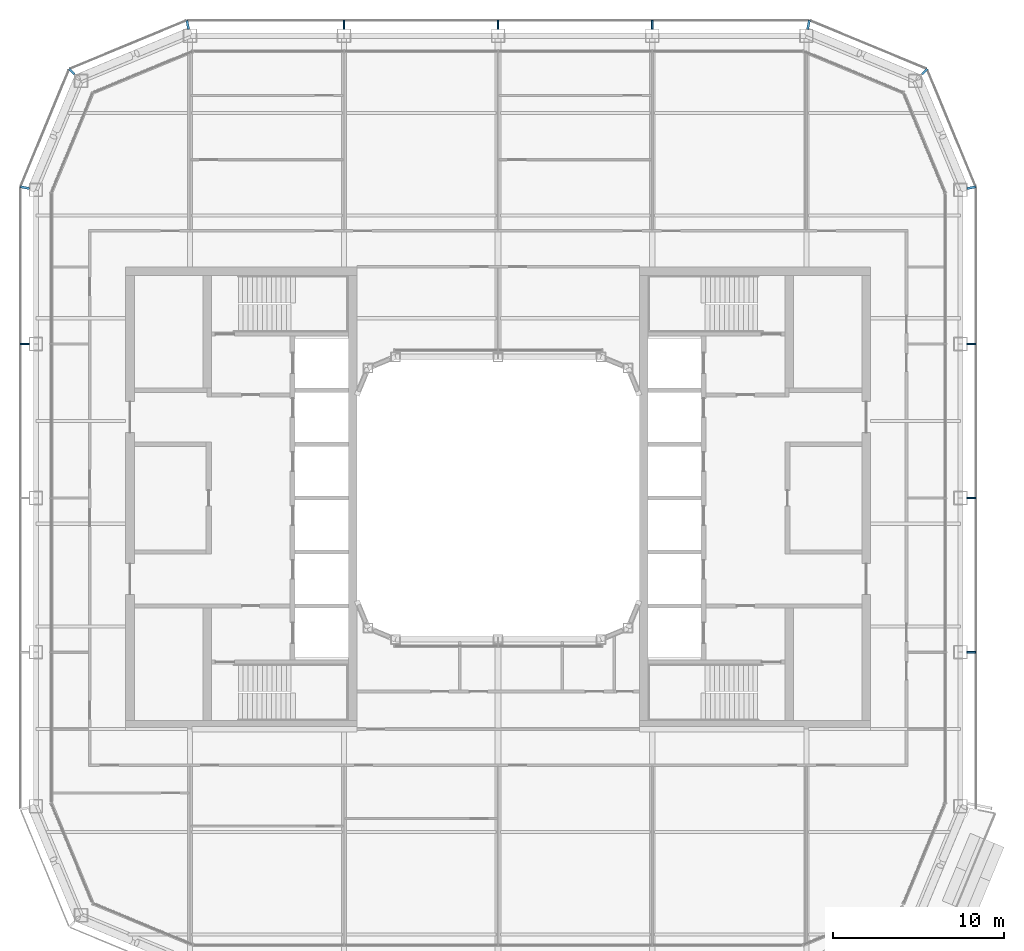
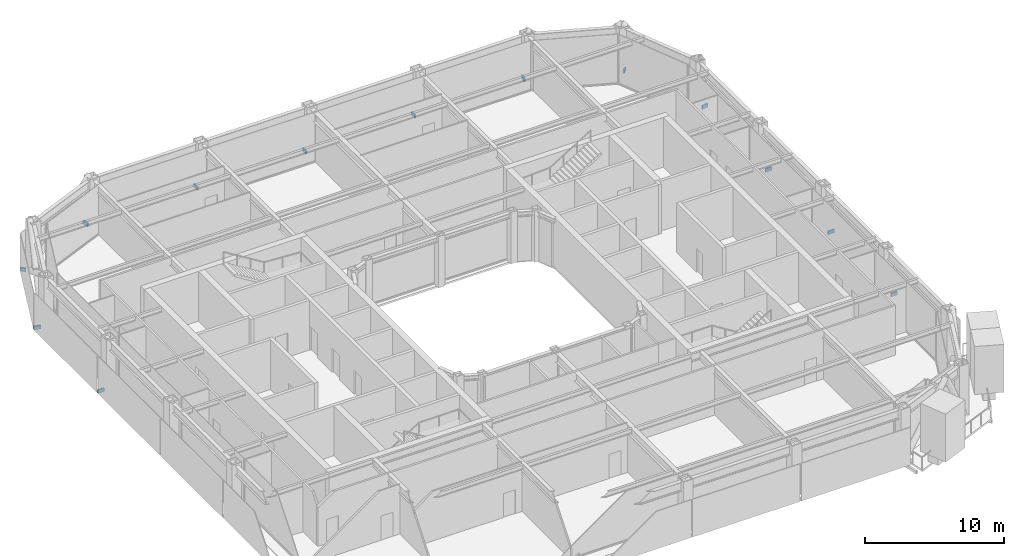
# One storey, part 18 of 23: 13 discrete accessories.
"""IFC4 building model written with IfcOpenShell, lengths in metres."""

import ifcopenshell
import ifcopenshell.guid

model = None  # the IFC model being written
_history = None  # IfcOwnerHistory: only IFC2X3 demands one
_inside = {}  # id of a spatial element -> (the spatial element, [elements in it])
_under = {}  # id of a project, library or spatial element -> (it, [spatial elements below it])
_declared = {}  # id of a project -> (the project, [libraries it declares])
_typed = {}  # id of a type object -> (the type object, [elements of that type])
_made_of = {}  # id of a material, layer set ... -> (it, [elements and type objects made of it])


def new_model(schema):
    """Start an empty IFC model of exactly this schema.

    Asked for "IFC4X3", IfcOpenShell would pick the latest addendum, in which some entities
    have other attributes; the version numbers below select the first issue.
    IFC2X3 requires an IfcOwnerHistory on every rooted entity: one is made here for all.
    """
    global model, _history
    if schema == "IFC4X3":
        model = ifcopenshell.file(schema_version=(4, 3, 0, 0))
    else:
        model = ifcopenshell.file(schema=schema)
    _inside.clear()
    _under.clear()
    _declared.clear()
    _typed.clear()
    _made_of.clear()
    _history = None
    if model.schema == "IFC2X3":
        org = make("IfcOrganization", Name="unknown")
        user = make(
            "IfcPersonAndOrganization",
            ThePerson=make("IfcPerson", FamilyName="unknown"),
            TheOrganization=org,
        )
        app = make(
            "IfcApplication",
            ApplicationDeveloper=org,
            Version="unknown",
            ApplicationFullName="unknown",
            ApplicationIdentifier="unknown",
        )
        _history = make(
            "IfcOwnerHistory",
            OwningUser=user,
            OwningApplication=app,
            ChangeAction="ADDED",
            CreationDate=0,
        )
    return model


def make(cls, **values):
    """One entity of the class cls with the attributes given. An attribute that is None is left unset."""
    return model.create_entity(
        cls, **{name: value for name, value in values.items() if value is not None}
    )


def rooted(cls, **values):
    """An entity with a GlobalId (a new one), such as an element, a storey or a relation."""
    return make(cls, GlobalId=ifcopenshell.guid.new(), OwnerHistory=_history, **values)


def si_unit(unit_type, name, prefix=None):
    """IfcSIUnit, for example si_unit("LENGTHUNIT", "METRE", prefix="MILLI")."""
    return make("IfcSIUnit", UnitType=unit_type, Prefix=prefix, Name=name)


def assignment(units):
    """IfcUnitAssignment: the units of a project."""
    return None if units is None else make("IfcUnitAssignment", Units=units)


def point(xyz):
    """IfcCartesianPoint."""
    return None if xyz is None else make("IfcCartesianPoint", Coordinates=xyz)


def direction(xyz):
    """IfcDirection."""
    return None if xyz is None else make("IfcDirection", DirectionRatios=xyz)


def frame(location, z_axis=None, x_axis=None):
    """IfcAxis2Placement3D, a coordinate frame: its origin and axes. An axis left out is left unset."""
    return make(
        "IfcAxis2Placement3D",
        Location=point(location),
        Axis=direction(z_axis),
        RefDirection=direction(x_axis),
    )


def frame_2d(location, x_axis=None):
    """IfcAxis2Placement2D, a coordinate frame in the plane: its origin and x axis."""
    return make(
        "IfcAxis2Placement2D", Location=point(location), RefDirection=direction(x_axis)
    )


def origin():
    """The frame at (0, 0, 0) with its axes left unset."""
    return frame((0.0, 0.0, 0.0))


def origin_2d():
    """The frame at (0, 0) in the plane with its x axis left unset."""
    return frame_2d((0.0, 0.0))


def place(relative_to, where):
    """IfcLocalPlacement: puts the frame where relative to a parent placement (None: the world)."""
    return make(
        "IfcLocalPlacement", PlacementRelTo=relative_to, RelativePlacement=where
    )


def context(
    kind, dimensions, precision=None, world=None, true_north=None, identifier=None
):
    """IfcGeometricRepresentationContext, for example the 3D "Model" context."""
    return make(
        "IfcGeometricRepresentationContext",
        ContextIdentifier=identifier,
        ContextType=kind,
        CoordinateSpaceDimension=dimensions,
        Precision=precision,
        WorldCoordinateSystem=world,
        TrueNorth=true_north,
    )


def subcontext(parent, identifier, kind, view, scale=None):
    """IfcGeometricRepresentationSubContext, for example "Body" below "Model"."""
    return make(
        "IfcGeometricRepresentationSubContext",
        ContextIdentifier=identifier,
        ContextType=kind,
        ParentContext=parent,
        TargetScale=scale,
        TargetView=view,
    )


def project(units=None, contexts=None):
    """IfcProject with its units and contexts."""
    return rooted(
        "IfcProject",
        Name="project",
        RepresentationContexts=contexts,
        UnitsInContext=assignment(units),
    )


def spatial(cls, under=None, at=None, **own):
    """A site, building, storey or space (cls), placed at a placement, below another one or the project."""
    s = rooted(cls, ObjectPlacement=at, **own)
    if under is not None:
        _under.setdefault(under.id(), (under, []))[1].append(s)
    return s


def profile(cls, at=None, kind="AREA", **sizes):
    """A parametric profile (cls). Its sizes go by their IFC names, for example OverallWidth=200.0."""
    return make(cls, ProfileType=kind, Position=at, **sizes)


def rectangle(**sizes):
    """IfcRectangleProfileDef."""
    return profile("IfcRectangleProfileDef", **sizes)


def extrude(swept, where, along, depth):
    """IfcExtrudedAreaSolid: the profile swept, set in the frame where, extruded along a direction by depth."""
    return make(
        "IfcExtrudedAreaSolid",
        SweptArea=swept,
        Position=where,
        ExtrudedDirection=direction(along),
        Depth=depth,
    )


def shape(context_of_items, identifier, shape_type, items):
    """IfcShapeRepresentation: the items that make up one representation, for example the "Body"."""
    return make(
        "IfcShapeRepresentation",
        ContextOfItems=context_of_items,
        RepresentationIdentifier=identifier,
        RepresentationType=shape_type,
        Items=items,
    )


def material(Name=None, Category=None):
    """IfcMaterial."""
    return make("IfcMaterial", Name=Name, Category=Category)


def made_of(thing, what):
    """Note that an element or type object is made of a material, layer set ...; save() writes the relation."""
    if what is not None:
        _made_of.setdefault(what.id(), (what, []))[1].append(thing)
    return thing


def type_object(cls, material=None, **own):
    """A type object (cls), such as IfcWallType, which elements share."""
    return made_of(rooted(cls, **own), material)


def element(
    cls,
    number,
    at=None,
    inside=None,
    cuts=None,
    type_object=None,
    material=None,
    context=None,
    identifier="Body",
    shape_type=None,
    held_by="IfcProductDefinitionShape",
    body=None,
    shapes=None,
    **own,
):
    """One element of the class cls, such as IfcWall. Its Tag is "e" and its number.

    at: its placement. inside: the storey or other place that contains it. cuts: it is an
    opening in that element (IfcRelVoidsElement). A single representation is given by context,
    identifier, shape_type and body (its items); several are given by shapes. held_by: the class
    of the entity that holds the representations. save() writes the other relations.
    """
    e = rooted(cls, Tag="e%d" % number, ObjectPlacement=at, **own)
    if body is not None:
        shapes = [shape(context, identifier, shape_type, body)]
    if shapes is not None:
        e.Representation = make(held_by, Representations=shapes)
    if inside is not None:
        _inside.setdefault(inside.id(), (inside, []))[1].append(e)
    if cuts is not None:
        rooted(
            "IfcRelVoidsElement", RelatingBuildingElement=cuts, RelatedOpeningElement=e
        )
    if type_object is not None:
        _typed.setdefault(type_object.id(), (type_object, []))[1].append(e)
    return made_of(e, material)


def aggregate(whole, parts):
    """IfcRelAggregates: a whole, such as a stair, and the parts it consists of."""
    return rooted("IfcRelAggregates", RelatingObject=whole, RelatedObjects=parts)


def save(model, path):
    """Write the relations noted so far, then the file.

    IfcRelAggregates (storeys below a building ...), IfcRelContainedInSpatialStructure (elements
    in a storey), IfcRelDefinesByType, IfcRelAssociatesMaterial and IfcRelDeclares: one each for
    every whole, place, type object, material and project.
    """
    for whole, parts in _under.values():
        aggregate(whole, parts)
    for where, things in _inside.values():
        rooted(
            "IfcRelContainedInSpatialStructure",
            RelatedElements=things,
            RelatingStructure=where,
        )
    for kind, things in _typed.values():
        rooted("IfcRelDefinesByType", RelatedObjects=things, RelatingType=kind)
    for what, things in _made_of.values():
        rooted("IfcRelAssociatesMaterial", RelatedObjects=things, RelatingMaterial=what)
    for by, libraries in _declared.values():
        rooted("IfcRelDeclares", RelatingContext=by, RelatedDefinitions=libraries)
    model.write(path)


model = new_model("IFC4")

# Units and contexts
model_context = context("Model", 3, precision=1e-05, world=origin(), true_north=direction((0.0, 1.0)))
body_context = subcontext(model_context, "Body", "Model", "MODEL_VIEW")
ifc_project = project(units=[si_unit("LENGTHUNIT", "METRE"), si_unit("AREAUNIT", "SQUARE_METRE"), si_unit("VOLUMEUNIT", "CUBIC_METRE"), si_unit("PLANEANGLEUNIT", "RADIAN"), si_unit("MASSUNIT", "GRAM", prefix="KILO")], contexts=[model_context])

# Site, building, storey
site_placement = place(None, origin())
site = spatial("IfcSite", under=ifc_project, at=site_placement, CompositionType="ELEMENT")
building_placement = place(site_placement, origin())
building = spatial("IfcBuilding", under=site, at=building_placement, Name="Siwar Civic Tower", CompositionType="ELEMENT")
storey_placement = place(building_placement, frame((0.0, 0.0, 237.699951171875)))
storey = spatial("IfcBuildingStorey", under=building, at=storey_placement, Name="L51", CompositionType="ELEMENT", Elevation=237.699951171875)

# Discrete accessories
ifc_material = material(Name="Stainless steel 316", Category="steel")
discrete_accessory_type = type_object("IfcDiscreteAccessoryType", Name="ENV-BRACKET", PredefinedType="BRACKET", material=ifc_material)
for number, where, z_axis, x_axis, name in (
    (1, (27.639892578125, -9.0, -0.14990234375), (0.0, 0.0, 1.0), (1.0, 0.0, 0.0), "Bracket outer skin joint E-01"),
    (2, (27.639892578125, 0.0, -0.14990234375), (0.0, 0.0, 1.0), (1.0, 0.0, 0.0), "Bracket outer skin joint E-02"),
    (3, (27.639892578125, 9.0, -0.14990234375), (0.0, 0.0, 1.0), (1.0, 0.0, 0.0), "Bracket outer skin joint E-03"),
    (4, (9.0, 27.639892578125, -0.14990234375), (0.0, 0.0, 1.0), (0.0, 1.0, 0.0), "Bracket outer skin joint N-01"),
    (5, (0.0, 27.639892578125, -0.14990234375), (0.0, 0.0, 1.0), (0.0, 1.0, 0.0), "Bracket outer skin joint N-02"),
    (6, (-9.0, 27.639892578125, -0.14990234375), (0.0, 0.0, 1.0), (0.0, 1.0, 0.0), "Bracket outer skin joint N-03"),
):
    element("IfcDiscreteAccessory", number, at=place(storey_placement, frame(where, z_axis=z_axis, x_axis=x_axis)), inside=storey, type_object=discrete_accessory_type, Name=name, PredefinedType="BRACKET", context=body_context, shape_type="SweptSolid", body=[
        extrude(rectangle(XDim=0.52001953125, YDim=0.10009765625, at=origin_2d()), origin(), (0.0, 0.0, 1.0), 0.300048828125),
    ])
discrete_accessory_1_placement = place(storey_placement, frame((27.64013671875, 18.12744140625, -0.14990234375), z_axis=(0.0, 0.0, 1.0), x_axis=(0.980785280403, 0.195090322016, 0.0)))
element("IfcDiscreteAccessory", 7, at=discrete_accessory_1_placement, inside=storey, type_object=discrete_accessory_type, Name="Bracket outer skin joint V04", PredefinedType="BRACKET", context=body_context, shape_type="SweptSolid", body=[
    extrude(rectangle(XDim=0.52978515625, YDim=0.13720703125, at=origin_2d()), origin(), (0.0, 0.0, 1.0), 0.300048828125),
])
discrete_accessory_2_placement = place(storey_placement, frame((24.9013671875, 24.9013671875, -0.14990234375), z_axis=(0.0, 0.0, 1.0), x_axis=(0.707106781187, 0.707106781187, 0.0)))
element("IfcDiscreteAccessory", 8, at=discrete_accessory_2_placement, inside=storey, type_object=discrete_accessory_type, Name="Bracket outer skin joint V05", PredefinedType="BRACKET", context=body_context, shape_type="SweptSolid", body=[
    extrude(rectangle(XDim=0.428466796875, YDim=0.12939453125, at=origin_2d()), origin(), (0.0, 0.0, 1.0), 0.300048828125),
])
for number, where, z_axis, x_axis, name in (
    (9, (18.12744140625, 27.64013671875, -0.14990234375), (0.0, 0.0, 1.0), (0.195090322016, 0.980785280403, 0.0), "Bracket outer skin joint V06"),
    (10, (-18.12744140625, 27.64013671875, -0.14990234375), (0.0, 0.0, 1.0), (-0.195090322016, 0.980785280403, 0.0), "Bracket outer skin joint V07"),
):
    element("IfcDiscreteAccessory", number, at=place(storey_placement, frame(where, z_axis=z_axis, x_axis=x_axis)), inside=storey, type_object=discrete_accessory_type, Name=name, PredefinedType="BRACKET", context=body_context, shape_type="SweptSolid", body=[
        extrude(rectangle(XDim=0.52978515625, YDim=0.13720703125, at=origin_2d()), origin(), (0.0, 0.0, 1.0), 0.300048828125),
    ])
discrete_accessory_3_placement = place(storey_placement, frame((-24.9013671875, 24.9013671875, -0.14990234375), z_axis=(0.0, 0.0, 1.0), x_axis=(-0.707106781187, 0.707106781187, 0.0)))
element("IfcDiscreteAccessory", 11, at=discrete_accessory_3_placement, inside=storey, type_object=discrete_accessory_type, Name="Bracket outer skin joint V08", PredefinedType="BRACKET", context=body_context, shape_type="SweptSolid", body=[
    extrude(rectangle(XDim=0.428466796875, YDim=0.12939453125, at=origin_2d()), origin(), (0.0, 0.0, 1.0), 0.300048828125),
])
discrete_accessory_4_placement = place(storey_placement, frame((-27.64013671875, 18.12744140625, -0.14990234375), z_axis=(0.0, 0.0, 1.0), x_axis=(-0.980785280403, 0.195090322016, 0.0)))
element("IfcDiscreteAccessory", 12, at=discrete_accessory_4_placement, inside=storey, type_object=discrete_accessory_type, Name="Bracket outer skin joint V09", PredefinedType="BRACKET", context=body_context, shape_type="SweptSolid", body=[
    extrude(rectangle(XDim=0.52978515625, YDim=0.13720703125, at=origin_2d()), origin(), (0.0, 0.0, 1.0), 0.300048828125),
])
discrete_accessory_5_placement = place(storey_placement, frame((-27.639892578125, 9.0, -0.14990234375), z_axis=(0.0, 0.0, 1.0), x_axis=(-1.0, 0.0, 0.0)))
element("IfcDiscreteAccessory", 13, at=discrete_accessory_5_placement, inside=storey, type_object=discrete_accessory_type, Name="Bracket outer skin joint W-01", PredefinedType="BRACKET", context=body_context, shape_type="SweptSolid", body=[
    extrude(rectangle(XDim=0.52001953125, YDim=0.10009765625, at=origin_2d()), origin(), (0.0, 0.0, 1.0), 0.300048828125),
])

save(model, "model.ifc")
